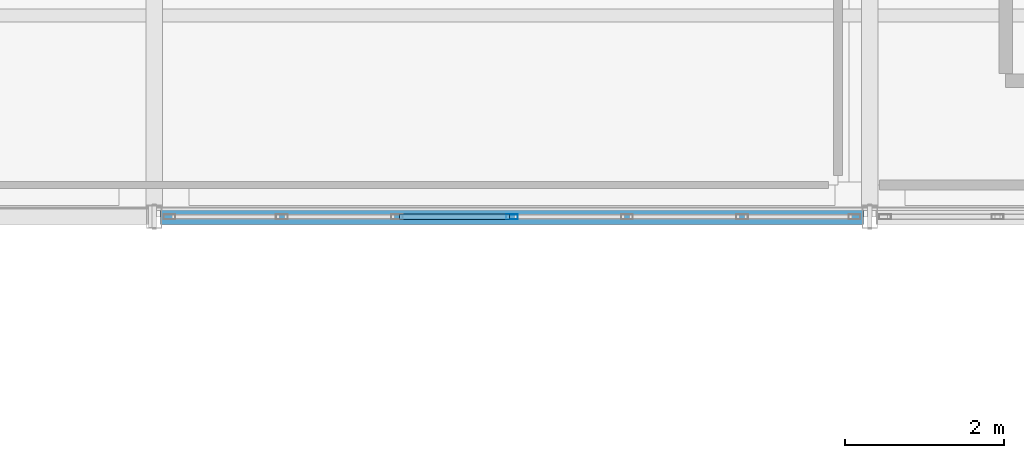
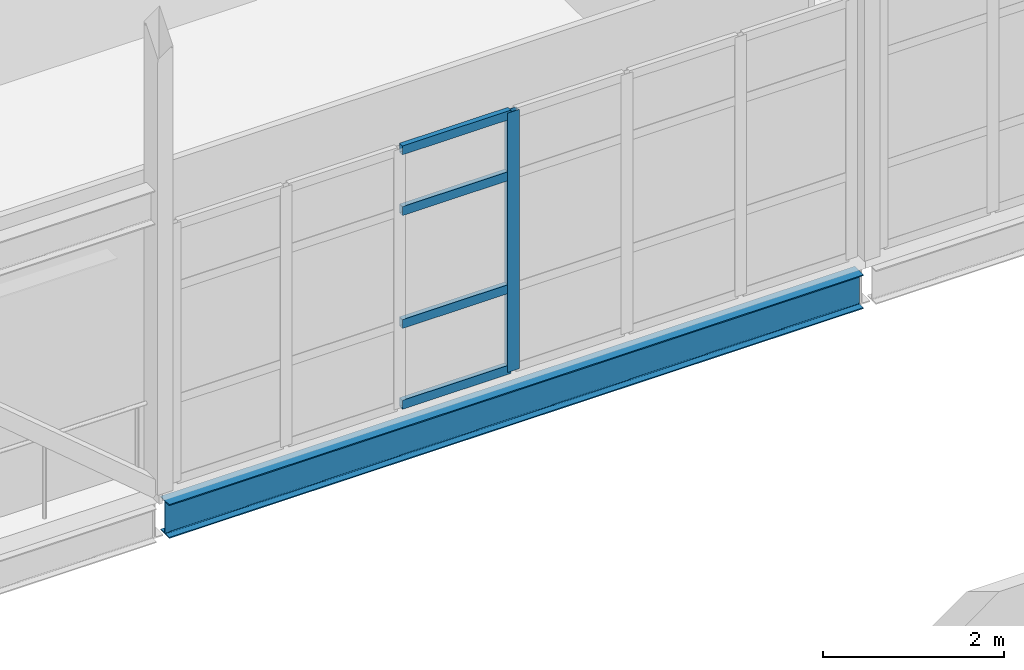
# One storey, part 29 of 166: 5 members, 1 beam, 1 element without a shape of its own.
"""IFC4 building model written with IfcOpenShell, lengths in metres."""

from ifc_helpers import new_model, si_unit, direction, frame, origin, origin_2d, place, context, subcontext, project, spatial, hollow_rectangle, i_section, extrude, material, material_profile, profile_set, type_object, element, aggregate, save


model = new_model("IFC4")

# Units and contexts
model_context = context("Model", 3, precision=1e-05, world=origin(), true_north=direction((0.0, 1.0)))
body_context = subcontext(model_context, "Body", "Model", "MODEL_VIEW")
ifc_project = project(units=[si_unit("LENGTHUNIT", "METRE"), si_unit("AREAUNIT", "SQUARE_METRE"), si_unit("VOLUMEUNIT", "CUBIC_METRE"), si_unit("PLANEANGLEUNIT", "RADIAN"), si_unit("MASSUNIT", "GRAM", prefix="KILO")], contexts=[model_context])

# Site, building, storey
site_placement = place(None, origin())
site = spatial("IfcSite", under=ifc_project, at=site_placement, CompositionType="ELEMENT")
building_placement = place(site_placement, origin())
building = spatial("IfcBuilding", under=site, at=building_placement, Name="Caisbarro Railhouse Central Library", CompositionType="ELEMENT")
storey_placement = place(building_placement, frame((0.0, 0.0, 9.360107421875)))
storey = spatial("IfcBuildingStorey", under=building, at=storey_placement, Name="L02", CompositionType="ELEMENT", Elevation=9.360107421875)

# Beam
ifc_material_1 = material(Name="Steel ASTM A572 Grade 50", Category="steel")
ifc_material_profile_1 = material_profile(ifc_material_1, i_section(OverallWidth=0.18994140625, OverallDepth=0.45703125, WebThickness=0.009033203125, FlangeThickness=0.014404296875, FilletRadius=0.01806640625, at=origin_2d()), Name="W460X74.0")
ifc_profile_set_1 = profile_set([ifc_material_profile_1], Name="Steel ASTM A572 Grade 50")
beam_type = type_object("IfcBeamType", Name="BM-SP01", PredefinedType="SPANDREL", material=ifc_profile_set_1)
beam_placement = place(storey_placement, frame((27.080078125, 30.39990234375, -0.448486328125), z_axis=(1.0, 0.0, 0.0), x_axis=(0.0, 1.0, 0.0)))
element("IfcBeam", 1, at=beam_placement, inside=storey, type_object=beam_type, Name="SP01 beam L02 #1354", PredefinedType="SPANDREL", context=body_context, shape_type="SweptSolid", body=[
    extrude(i_section(OverallWidth=0.18994140625, OverallDepth=0.45703125, WebThickness=0.009033203125, FlangeThickness=0.014404296875, FilletRadius=0.01806640625, at=origin_2d()), origin(), (0.0, 0.0, 1.0), 8.83984375),
])

# Curtain wall, members
ifc_material_2 = material(Name="Anodised architectural aluminium", Category="aluminium")
curtain_wall_type = type_object("IfcCurtainWallType", Name="CW-CW02", PredefinedType="NOTDEFINED", material=ifc_material_2)
curtain_wall_placement = place(storey_placement, origin())
curtain_wall = element("IfcCurtainWall", 2, at=curtain_wall_placement, inside=storey, type_object=curtain_wall_type, Name="CW02 curtain wall L02 #45", PredefinedType="NOTDEFINED")
ifc_material_profile_2 = material_profile(ifc_material_2, hollow_rectangle(XDim=0.06494140625, YDim=0.14990234375, WallThickness=0.00390625, at=origin_2d()), Name="ALU-MUL-65X150")
ifc_profile_set_2 = profile_set([ifc_material_profile_2], Name="Anodised architectural aluminium")
member_type_1 = type_object("IfcMemberType", Name="CWM-M02", PredefinedType="MULLION", material=ifc_profile_set_2)
member_1_placement = place(storey_placement, frame((31.5, 30.39990234375, 0.0), z_axis=(0.0, 0.0, 1.0), x_axis=(0.0, 1.0, 0.0)))
member_1 = element("IfcMember", 3, at=member_1_placement, type_object=member_type_1, Name="CW02 mullion 4", PredefinedType="MULLION", context=body_context, shape_type="SweptSolid", body=[
    extrude(hollow_rectangle(XDim=0.06494140625, YDim=0.14990234375, WallThickness=0.00390625, at=origin_2d()), origin(), (0.0, 0.0, 1.0), 3.489990234375),
])
ifc_material_profile_3 = material_profile(ifc_material_2, hollow_rectangle(XDim=0.06494140625, YDim=0.1201171875, WallThickness=0.00341796875, at=origin_2d()), Name="ALU-TRN-65X120")
ifc_profile_set_3 = profile_set([ifc_material_profile_3], Name="Anodised architectural aluminium")
member_type_2 = type_object("IfcMemberType", Name="CWT-T02", PredefinedType="USERDEFINED", material=ifc_profile_set_3)
member_2_placement = place(storey_placement, frame((30.0859375, 30.39990234375, 0.032470703125), z_axis=(1.0, 0.0, 0.0), x_axis=(0.0, 1.0, 0.0)))
member_2 = element("IfcMember", 4, at=member_2_placement, type_object=member_type_2, Name="CW02 transom 3.1", ObjectType="TRANSOM", PredefinedType="USERDEFINED", context=body_context, shape_type="SweptSolid", body=[
    extrude(hollow_rectangle(XDim=0.06494140625, YDim=0.1201171875, WallThickness=0.00341796875, at=origin_2d()), origin(), (0.0, 0.0, 1.0), 1.381591796875),
])
member_3_placement = place(storey_placement, frame((30.0859375, 30.39990234375, 1.119873046875), z_axis=(1.0, 0.0, 0.0), x_axis=(0.0, 1.0, 0.0)))
member_3 = element("IfcMember", 5, at=member_3_placement, type_object=member_type_2, Name="CW02 transom 3.2", ObjectType="TRANSOM", PredefinedType="USERDEFINED", context=body_context, shape_type="SweptSolid", body=[
    extrude(hollow_rectangle(XDim=0.06494140625, YDim=0.1201171875, WallThickness=0.00341796875, at=origin_2d()), origin(), (0.0, 0.0, 1.0), 1.381591796875),
])
member_4_placement = place(storey_placement, frame((30.0859375, 30.39990234375, 2.639892578125), z_axis=(1.0, 0.0, 0.0), x_axis=(0.0, 1.0, 0.0)))
member_4 = element("IfcMember", 6, at=member_4_placement, type_object=member_type_2, Name="CW02 transom 3.3", ObjectType="TRANSOM", PredefinedType="USERDEFINED", context=body_context, shape_type="SweptSolid", body=[
    extrude(hollow_rectangle(XDim=0.06494140625, YDim=0.1201171875, WallThickness=0.00341796875, at=origin_2d()), origin(), (0.0, 0.0, 1.0), 1.381591796875),
])
member_5_placement = place(storey_placement, frame((30.0859375, 30.39990234375, 3.457275390625), z_axis=(1.0, 0.0, 0.0), x_axis=(0.0, 1.0, 0.0)))
member_5 = element("IfcMember", 7, at=member_5_placement, type_object=member_type_2, Name="CW02 transom 3.4", ObjectType="TRANSOM", PredefinedType="USERDEFINED", context=body_context, shape_type="SweptSolid", body=[
    extrude(hollow_rectangle(XDim=0.06494140625, YDim=0.1201171875, WallThickness=0.00341796875, at=origin_2d()), origin(), (0.0, 0.0, 1.0), 1.381591796875),
])
aggregate(curtain_wall, [member_1, member_2, member_3, member_4, member_5])

save(model, "model.ifc")
